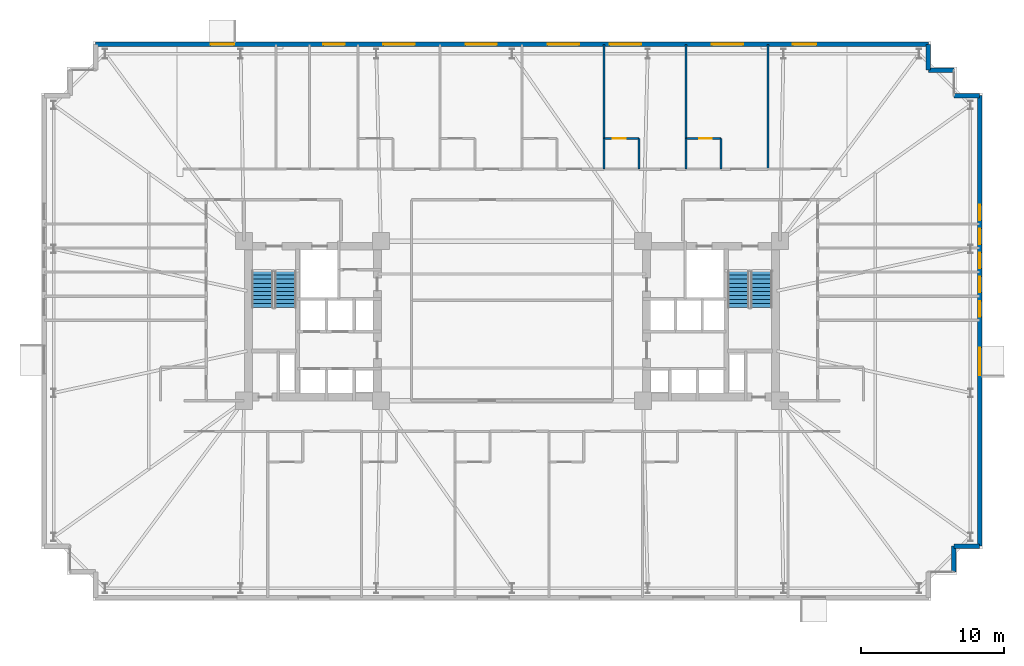
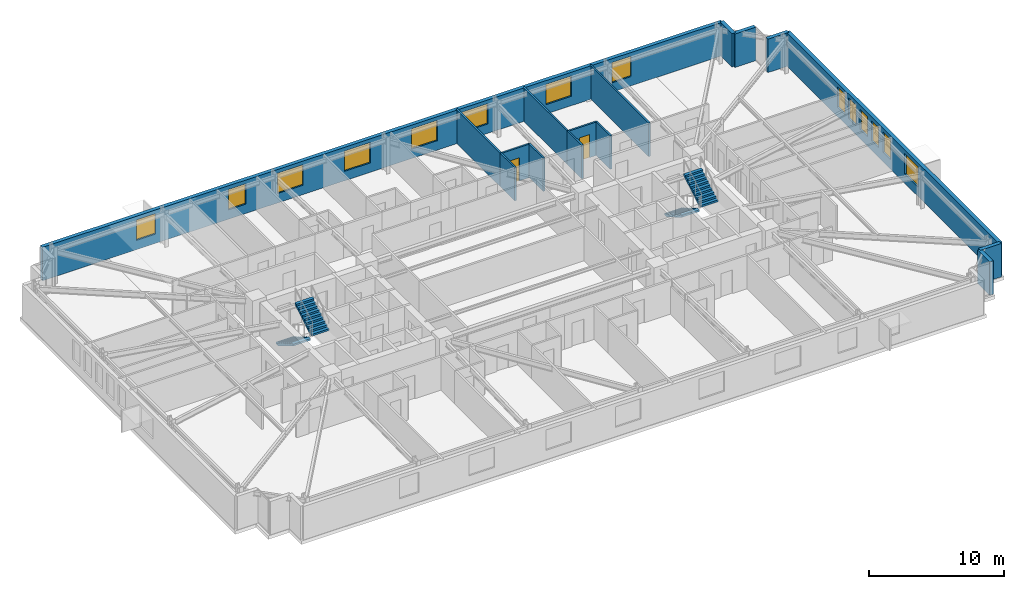
# One storey, part 19 of 22: 16 walls, 14 windows, 4 stair flights, 2 doors, 16 openings, 2 elements without a shape of their own.
"""IFC4 building model written with IfcOpenShell, lengths in metres."""

import ifcopenshell
import ifcopenshell.guid

model = None  # the IFC model being written
_history = None  # IfcOwnerHistory: only IFC2X3 demands one
_inside = {}  # id of a spatial element -> (the spatial element, [elements in it])
_under = {}  # id of a project, library or spatial element -> (it, [spatial elements below it])
_declared = {}  # id of a project -> (the project, [libraries it declares])
_typed = {}  # id of a type object -> (the type object, [elements of that type])
_made_of = {}  # id of a material, layer set ... -> (it, [elements and type objects made of it])


def new_model(schema):
    """Start an empty IFC model of exactly this schema.

    Asked for "IFC4X3", IfcOpenShell would pick the latest addendum, in which some entities
    have other attributes; the version numbers below select the first issue.
    IFC2X3 requires an IfcOwnerHistory on every rooted entity: one is made here for all.
    """
    global model, _history
    if schema == "IFC4X3":
        model = ifcopenshell.file(schema_version=(4, 3, 0, 0))
    else:
        model = ifcopenshell.file(schema=schema)
    _inside.clear()
    _under.clear()
    _declared.clear()
    _typed.clear()
    _made_of.clear()
    _history = None
    if model.schema == "IFC2X3":
        org = make("IfcOrganization", Name="unknown")
        user = make(
            "IfcPersonAndOrganization",
            ThePerson=make("IfcPerson", FamilyName="unknown"),
            TheOrganization=org,
        )
        app = make(
            "IfcApplication",
            ApplicationDeveloper=org,
            Version="unknown",
            ApplicationFullName="unknown",
            ApplicationIdentifier="unknown",
        )
        _history = make(
            "IfcOwnerHistory",
            OwningUser=user,
            OwningApplication=app,
            ChangeAction="ADDED",
            CreationDate=0,
        )
    return model


def make(cls, **values):
    """One entity of the class cls with the attributes given. An attribute that is None is left unset."""
    return model.create_entity(
        cls, **{name: value for name, value in values.items() if value is not None}
    )


def rooted(cls, **values):
    """An entity with a GlobalId (a new one), such as an element, a storey or a relation."""
    return make(cls, GlobalId=ifcopenshell.guid.new(), OwnerHistory=_history, **values)


def si_unit(unit_type, name, prefix=None):
    """IfcSIUnit, for example si_unit("LENGTHUNIT", "METRE", prefix="MILLI")."""
    return make("IfcSIUnit", UnitType=unit_type, Prefix=prefix, Name=name)


def assignment(units):
    """IfcUnitAssignment: the units of a project."""
    return None if units is None else make("IfcUnitAssignment", Units=units)


def point(xyz):
    """IfcCartesianPoint."""
    return None if xyz is None else make("IfcCartesianPoint", Coordinates=xyz)


def direction(xyz):
    """IfcDirection."""
    return None if xyz is None else make("IfcDirection", DirectionRatios=xyz)


def frame(location, z_axis=None, x_axis=None):
    """IfcAxis2Placement3D, a coordinate frame: its origin and axes. An axis left out is left unset."""
    return make(
        "IfcAxis2Placement3D",
        Location=point(location),
        Axis=direction(z_axis),
        RefDirection=direction(x_axis),
    )


def frame_2d(location, x_axis=None):
    """IfcAxis2Placement2D, a coordinate frame in the plane: its origin and x axis."""
    return make(
        "IfcAxis2Placement2D", Location=point(location), RefDirection=direction(x_axis)
    )


def origin():
    """The frame at (0, 0, 0) with its axes left unset."""
    return frame((0.0, 0.0, 0.0))


def place(relative_to, where):
    """IfcLocalPlacement: puts the frame where relative to a parent placement (None: the world)."""
    return make(
        "IfcLocalPlacement", PlacementRelTo=relative_to, RelativePlacement=where
    )


def context(
    kind, dimensions, precision=None, world=None, true_north=None, identifier=None
):
    """IfcGeometricRepresentationContext, for example the 3D "Model" context."""
    return make(
        "IfcGeometricRepresentationContext",
        ContextIdentifier=identifier,
        ContextType=kind,
        CoordinateSpaceDimension=dimensions,
        Precision=precision,
        WorldCoordinateSystem=world,
        TrueNorth=true_north,
    )


def subcontext(parent, identifier, kind, view, scale=None):
    """IfcGeometricRepresentationSubContext, for example "Body" below "Model"."""
    return make(
        "IfcGeometricRepresentationSubContext",
        ContextIdentifier=identifier,
        ContextType=kind,
        ParentContext=parent,
        TargetScale=scale,
        TargetView=view,
    )


def project(units=None, contexts=None):
    """IfcProject with its units and contexts."""
    return rooted(
        "IfcProject",
        Name="project",
        RepresentationContexts=contexts,
        UnitsInContext=assignment(units),
    )


def spatial(cls, under=None, at=None, **own):
    """A site, building, storey or space (cls), placed at a placement, below another one or the project."""
    s = rooted(cls, ObjectPlacement=at, **own)
    if under is not None:
        _under.setdefault(under.id(), (under, []))[1].append(s)
    return s


def polyline(points):
    """IfcPolyline through the points."""
    return make("IfcPolyline", Points=[point(p) for p in points])


def profile(cls, at=None, kind="AREA", **sizes):
    """A parametric profile (cls). Its sizes go by their IFC names, for example OverallWidth=200.0."""
    return make(cls, ProfileType=kind, Position=at, **sizes)


def rectangle(**sizes):
    """IfcRectangleProfileDef."""
    return profile("IfcRectangleProfileDef", **sizes)


def outline(outer, holes=None, kind="AREA"):
    """IfcArbitraryClosedProfileDef: a profile drawn as a closed curve; with holes, ...WithVoids."""
    if holes is None:
        return make("IfcArbitraryClosedProfileDef", ProfileType=kind, OuterCurve=outer)
    return make(
        "IfcArbitraryProfileDefWithVoids",
        ProfileType=kind,
        OuterCurve=outer,
        InnerCurves=holes,
    )


def extrude(swept, where, along, depth):
    """IfcExtrudedAreaSolid: the profile swept, set in the frame where, extruded along a direction by depth."""
    return make(
        "IfcExtrudedAreaSolid",
        SweptArea=swept,
        Position=where,
        ExtrudedDirection=direction(along),
        Depth=depth,
    )


def shape(context_of_items, identifier, shape_type, items):
    """IfcShapeRepresentation: the items that make up one representation, for example the "Body"."""
    return make(
        "IfcShapeRepresentation",
        ContextOfItems=context_of_items,
        RepresentationIdentifier=identifier,
        RepresentationType=shape_type,
        Items=items,
    )


def material(Name=None, Category=None):
    """IfcMaterial."""
    return make("IfcMaterial", Name=Name, Category=Category)


def layer(
    of_material, thickness, ventilated=None, Name=None, Category=None, Priority=None
):
    """IfcMaterialLayer: one layer of a wall or slab, of a material (None: an air gap)."""
    return make(
        "IfcMaterialLayer",
        Material=of_material,
        LayerThickness=thickness,
        IsVentilated=ventilated,
        Name=Name,
        Category=Category,
        Priority=Priority,
    )


def layer_set(layers, Name=None):
    """IfcMaterialLayerSet."""
    return make("IfcMaterialLayerSet", MaterialLayers=layers, LayerSetName=Name)


def made_of(thing, what):
    """Note that an element or type object is made of a material, layer set ...; save() writes the relation."""
    if what is not None:
        _made_of.setdefault(what.id(), (what, []))[1].append(thing)
    return thing


def type_object(cls, material=None, **own):
    """A type object (cls), such as IfcWallType, which elements share."""
    return made_of(rooted(cls, **own), material)


def element(
    cls,
    number,
    at=None,
    inside=None,
    cuts=None,
    type_object=None,
    material=None,
    context=None,
    identifier="Body",
    shape_type=None,
    held_by="IfcProductDefinitionShape",
    body=None,
    shapes=None,
    **own,
):
    """One element of the class cls, such as IfcWall. Its Tag is "e" and its number.

    at: its placement. inside: the storey or other place that contains it. cuts: it is an
    opening in that element (IfcRelVoidsElement). A single representation is given by context,
    identifier, shape_type and body (its items); several are given by shapes. held_by: the class
    of the entity that holds the representations. save() writes the other relations.
    """
    e = rooted(cls, Tag="e%d" % number, ObjectPlacement=at, **own)
    if body is not None:
        shapes = [shape(context, identifier, shape_type, body)]
    if shapes is not None:
        e.Representation = make(held_by, Representations=shapes)
    if inside is not None:
        _inside.setdefault(inside.id(), (inside, []))[1].append(e)
    if cuts is not None:
        rooted(
            "IfcRelVoidsElement", RelatingBuildingElement=cuts, RelatedOpeningElement=e
        )
    if type_object is not None:
        _typed.setdefault(type_object.id(), (type_object, []))[1].append(e)
    return made_of(e, material)


def fill(opening, filler):
    """IfcRelFillsElement: the door or window that sits in an opening."""
    return rooted(
        "IfcRelFillsElement",
        RelatingOpeningElement=opening,
        RelatedBuildingElement=filler,
    )


def aggregate(whole, parts):
    """IfcRelAggregates: a whole, such as a stair, and the parts it consists of."""
    return rooted("IfcRelAggregates", RelatingObject=whole, RelatedObjects=parts)


def save(model, path):
    """Write the relations noted so far, then the file.

    IfcRelAggregates (storeys below a building ...), IfcRelContainedInSpatialStructure (elements
    in a storey), IfcRelDefinesByType, IfcRelAssociatesMaterial and IfcRelDeclares: one each for
    every whole, place, type object, material and project.
    """
    for whole, parts in _under.values():
        aggregate(whole, parts)
    for where, things in _inside.values():
        rooted(
            "IfcRelContainedInSpatialStructure",
            RelatedElements=things,
            RelatingStructure=where,
        )
    for kind, things in _typed.values():
        rooted("IfcRelDefinesByType", RelatedObjects=things, RelatingType=kind)
    for what, things in _made_of.values():
        rooted("IfcRelAssociatesMaterial", RelatedObjects=things, RelatingMaterial=what)
    for by, libraries in _declared.values():
        rooted("IfcRelDeclares", RelatingContext=by, RelatedDefinitions=libraries)
    model.write(path)


model = new_model("IFC4")

# Units and contexts
model_context = context("Model", 3, precision=1e-05, world=origin(), true_north=direction((0.0, 1.0)))
body_context = subcontext(model_context, "Body", "Model", "MODEL_VIEW")
ifc_project = project(units=[si_unit("LENGTHUNIT", "METRE"), si_unit("AREAUNIT", "SQUARE_METRE"), si_unit("VOLUMEUNIT", "CUBIC_METRE"), si_unit("PLANEANGLEUNIT", "RADIAN"), si_unit("MASSUNIT", "GRAM", prefix="KILO")], contexts=[model_context])

# Site, building, storey
site_placement = place(None, origin())
site = spatial("IfcSite", under=ifc_project, at=site_placement, CompositionType="ELEMENT")
building_placement = place(site_placement, origin())
building = spatial("IfcBuilding", under=site, at=building_placement, Name="Qobustan Lattice House", CompositionType="ELEMENT")
storey_placement = place(building_placement, frame((0.0, 0.0, 60.5)))
storey = spatial("IfcBuildingStorey", under=building, at=storey_placement, Name="L16", CompositionType="ELEMENT", Elevation=60.5)

# Wall, openings, windows
ifc_material_1 = material(Name="Precast concrete C40/50", Category="concrete")
ifc_layer_1 = layer(ifc_material_1, 0.320068359375)
ifc_layer_set_1 = layer_set([ifc_layer_1], Name="Precast concrete C40/50")
wall_type_1 = type_object("IfcWallType", Name="WAL-EXT-STONE-320", PredefinedType="SOLIDWALL", material=ifc_layer_set_1)
wall_1_placement = place(storey_placement, frame((-29.199951171875, 19.39990234375, 0.0), z_axis=(0.0, 0.0, 1.0), x_axis=(1.0, 0.0, 0.0)))
wall_1 = element("IfcWall", 1, at=wall_1_placement, inside=storey, type_object=wall_type_1, Name="L16 exterior limestone-clad wall 10", PredefinedType="SOLIDWALL", context=body_context, shape_type="SweptSolid", body=[
    extrude(rectangle(XDim=58.39990234375, YDim=0.320068359375, at=frame_2d((29.199951171875, 0.0))), origin(), (0.0, 0.0, 1.0), 3.034912109375),
])
opening_1_placement = place(wall_1_placement, frame((8.0654296875, 0.0, 0.85009765625)))
opening_1 = element("IfcOpeningElement", 2, at=opening_1_placement, cuts=wall_1, Name="Opening WN-09", PredefinedType="OPENING", context=body_context, shape_type="SweptSolid", body=[
    extrude(rectangle(XDim=1.64990234375, YDim=1.85009765625, at=frame_2d((0.824951171875, 0.925048828125))), frame((0.0, 0.169921875, 0.0), z_axis=(0.0, -1.0, 0.0), x_axis=(1.0, 0.0, 0.0)), (0.0, 0.0, 1.0), 0.340087890625),
])
opening_2_placement = place(wall_1_placement, frame((15.969970703125, 0.0, 0.85009765625)))
opening_2 = element("IfcOpeningElement", 3, at=opening_2_placement, cuts=wall_1, Name="Opening WN-01", PredefinedType="OPENING", context=body_context, shape_type="SweptSolid", body=[
    extrude(rectangle(XDim=1.5, YDim=1.85009765625, at=frame_2d((0.75, 0.925048828125))), frame((0.0, 0.169921875, 0.0), z_axis=(0.0, -1.0, 0.0), x_axis=(1.0, 0.0, 0.0)), (0.0, 0.0, 1.0), 0.340087890625),
])
opening_3_placement = place(wall_1_placement, frame((20.179931640625, 0.0, 0.85009765625)))
opening_3 = element("IfcOpeningElement", 4, at=opening_3_placement, cuts=wall_1, Name="Opening WN-03", PredefinedType="OPENING", context=body_context, shape_type="SweptSolid", body=[
    extrude(rectangle(XDim=2.199951171875, YDim=1.85009765625, at=frame_2d((1.10009765625, 0.925048828125))), frame((0.0, 0.169921875, 0.0), z_axis=(0.0, -1.0, 0.0), x_axis=(1.0, 0.0, 0.0)), (0.0, 0.0, 1.0), 0.340087890625),
])
opening_4_placement = place(wall_1_placement, frame((25.93994140625, 0.0, 0.85009765625)))
opening_4 = element("IfcOpeningElement", 5, at=opening_4_placement, cuts=wall_1, Name="Opening WN-03", PredefinedType="OPENING", context=body_context, shape_type="SweptSolid", body=[
    extrude(rectangle(XDim=2.199951171875, YDim=1.85009765625, at=frame_2d((1.10009765625, 0.925048828125))), frame((0.0, 0.169921875, 0.0), z_axis=(0.0, -1.0, 0.0), x_axis=(1.0, 0.0, 0.0)), (0.0, 0.0, 1.0), 0.340087890625),
])
opening_5_placement = place(wall_1_placement, frame((31.699951171875, 0.0, 0.85009765625)))
opening_5 = element("IfcOpeningElement", 6, at=opening_5_placement, cuts=wall_1, Name="Opening WN-03", PredefinedType="OPENING", context=body_context, shape_type="SweptSolid", body=[
    extrude(rectangle(XDim=2.199951171875, YDim=1.85009765625, at=frame_2d((1.10009765625, 0.925048828125))), frame((0.0, 0.169921875, 0.0), z_axis=(0.0, -1.0, 0.0), x_axis=(1.0, 0.0, 0.0)), (0.0, 0.0, 1.0), 0.340087890625),
])
opening_6_placement = place(wall_1_placement, frame((36.055908203125, 0.0, 0.85009765625)))
opening_6 = element("IfcOpeningElement", 7, at=opening_6_placement, cuts=wall_1, Name="Opening WN-03", PredefinedType="OPENING", context=body_context, shape_type="SweptSolid", body=[
    extrude(rectangle(XDim=2.199951171875, YDim=1.85009765625, at=frame_2d((1.10009765625, 0.925048828125))), frame((0.0, 0.169921875, 0.0), z_axis=(0.0, -1.0, 0.0), x_axis=(1.0, 0.0, 0.0)), (0.0, 0.0, 1.0), 0.340087890625),
])
opening_7_placement = place(wall_1_placement, frame((43.219970703125, 0.0, 0.85009765625)))
opening_7 = element("IfcOpeningElement", 8, at=opening_7_placement, cuts=wall_1, Name="Opening WN-03", PredefinedType="OPENING", context=body_context, shape_type="SweptSolid", body=[
    extrude(rectangle(XDim=2.199951171875, YDim=1.85009765625, at=frame_2d((1.10009765625, 0.925048828125))), frame((0.0, 0.169921875, 0.0), z_axis=(0.0, -1.0, 0.0), x_axis=(1.0, 0.0, 0.0)), (0.0, 0.0, 1.0), 0.340087890625),
])
opening_8_placement = place(wall_1_placement, frame((48.89501953125, 0.0, 0.85009765625)))
opening_8 = element("IfcOpeningElement", 9, at=opening_8_placement, cuts=wall_1, Name="Opening WN-09", PredefinedType="OPENING", context=body_context, shape_type="SweptSolid", body=[
    extrude(rectangle(XDim=1.64990234375, YDim=1.85009765625, at=frame_2d((0.824951171875, 0.925048828125))), frame((0.0, 0.169921875, 0.0), z_axis=(0.0, -1.0, 0.0), x_axis=(1.0, 0.0, 0.0)), (0.0, 0.0, 1.0), 0.340087890625),
])
ifc_material_2 = material(Name="Double-glazed low-E aluminium window", Category="aluminium")
window_type_1 = type_object("IfcWindowType", Name="WIN-BED-1500x1850", PartitioningType="SINGLE_PANEL", PredefinedType="WINDOW", material=ifc_material_2)
window_1_placement = place(opening_2_placement, origin())
window_1 = element("IfcWindow", 10, at=window_1_placement, inside=storey, type_object=window_type_1, Name="L16 Laundry utility room window", OverallHeight=1.85009765625, OverallWidth=1.5, PartitioningType="SINGLE_PANEL", PredefinedType="WINDOW", context=body_context, shape_type="SweptSolid", body=[
    extrude(rectangle(XDim=1.5, YDim=1.85009765625, at=frame_2d((0.75, 0.925048828125))), frame((0.0, 0.030029296875, 0.0), z_axis=(0.0, -1.0, 0.0), x_axis=(1.0, 0.0, 0.0)), (0.0, 0.0, 1.0), 0.06005859375),
])
fill(opening_2, window_1)
ifc_material_3 = material(Name="Double-glazed low-E aluminium window", Category="aluminium")
window_type_2 = type_object("IfcWindowType", Name="WIN-STU-1650x1850", PartitioningType="SINGLE_PANEL", PredefinedType="WINDOW", material=ifc_material_3)
window_2_placement = place(opening_1_placement, origin())
window_2 = element("IfcWindow", 11, at=window_2_placement, inside=storey, type_object=window_type_2, Name="L16 Focus study room N1 window", OverallHeight=1.85009765625, OverallWidth=1.64990234375, PartitioningType="SINGLE_PANEL", PredefinedType="WINDOW", context=body_context, shape_type="SweptSolid", body=[
    extrude(rectangle(XDim=1.64990234375, YDim=1.85009765625, at=frame_2d((0.824951171875, 0.925048828125))), frame((0.0, 0.030029296875, 0.0), z_axis=(0.0, -1.0, 0.0), x_axis=(1.0, 0.0, 0.0)), (0.0, 0.0, 1.0), 0.06005859375),
])
fill(opening_1, window_2)
window_3_placement = place(opening_8_placement, origin())
window_3 = element("IfcWindow", 12, at=window_3_placement, inside=storey, type_object=window_type_2, Name="L16 Focus study room N8 window", OverallHeight=1.85009765625, OverallWidth=1.64990234375, PartitioningType="SINGLE_PANEL", PredefinedType="WINDOW", context=body_context, shape_type="SweptSolid", body=[
    extrude(rectangle(XDim=1.64990234375, YDim=1.85009765625, at=frame_2d((0.824951171875, 0.925048828125))), frame((0.0, 0.030029296875, 0.0), z_axis=(0.0, -1.0, 0.0), x_axis=(1.0, 0.0, 0.0)), (0.0, 0.0, 1.0), 0.06005859375),
])
fill(opening_8, window_3)
ifc_material_4 = material(Name="Double-glazed low-E aluminium window", Category="aluminium")
window_type_3 = type_object("IfcWindowType", Name="WIN-WIDE-2200x1850", PartitioningType="SINGLE_PANEL", PredefinedType="WINDOW", material=ifc_material_4)
window_4_placement = place(opening_3_placement, origin())
window_4 = element("IfcWindow", 13, at=window_4_placement, inside=storey, type_object=window_type_3, Name="L16 Kitchenette and studio apartment L16-N3 window", OverallHeight=1.85009765625, OverallWidth=2.199951171875, PartitioningType="SINGLE_PANEL", PredefinedType="WINDOW", context=body_context, shape_type="SweptSolid", body=[
    extrude(rectangle(XDim=2.199951171875, YDim=1.85009765625, at=frame_2d((1.10009765625, 0.925048828125))), frame((0.0, 0.030029296875, 0.0), z_axis=(0.0, -1.0, 0.0), x_axis=(1.0, 0.0, 0.0)), (0.0, 0.0, 1.0), 0.06005859375),
])
fill(opening_3, window_4)
window_5_placement = place(opening_4_placement, origin())
window_5 = element("IfcWindow", 14, at=window_5_placement, inside=storey, type_object=window_type_3, Name="L16 Kitchenette and studio apartment L16-N4 window", OverallHeight=1.85009765625, OverallWidth=2.199951171875, PartitioningType="SINGLE_PANEL", PredefinedType="WINDOW", context=body_context, shape_type="SweptSolid", body=[
    extrude(rectangle(XDim=2.199951171875, YDim=1.85009765625, at=frame_2d((1.10009765625, 0.925048828125))), frame((0.0, 0.030029296875, 0.0), z_axis=(0.0, -1.0, 0.0), x_axis=(1.0, 0.0, 0.0)), (0.0, 0.0, 1.0), 0.06005859375),
])
fill(opening_4, window_5)
window_6_placement = place(opening_5_placement, origin())
window_6 = element("IfcWindow", 15, at=window_6_placement, inside=storey, type_object=window_type_3, Name="L16 Kitchenette and studio apartment L16-N5 window", OverallHeight=1.85009765625, OverallWidth=2.199951171875, PartitioningType="SINGLE_PANEL", PredefinedType="WINDOW", context=body_context, shape_type="SweptSolid", body=[
    extrude(rectangle(XDim=2.199951171875, YDim=1.85009765625, at=frame_2d((1.10009765625, 0.925048828125))), frame((0.0, 0.030029296875, 0.0), z_axis=(0.0, -1.0, 0.0), x_axis=(1.0, 0.0, 0.0)), (0.0, 0.0, 1.0), 0.06005859375),
])
fill(opening_5, window_6)
window_7_placement = place(opening_6_placement, origin())
window_7 = element("IfcWindow", 16, at=window_7_placement, inside=storey, type_object=window_type_3, Name="L16 Kitchenette and studio apartment L16-N6 window", OverallHeight=1.85009765625, OverallWidth=2.199951171875, PartitioningType="SINGLE_PANEL", PredefinedType="WINDOW", context=body_context, shape_type="SweptSolid", body=[
    extrude(rectangle(XDim=2.199951171875, YDim=1.85009765625, at=frame_2d((1.10009765625, 0.925048828125))), frame((0.0, 0.030029296875, 0.0), z_axis=(0.0, -1.0, 0.0), x_axis=(1.0, 0.0, 0.0)), (0.0, 0.0, 1.0), 0.06005859375),
])
fill(opening_6, window_7)
window_8_placement = place(opening_7_placement, origin())
window_8 = element("IfcWindow", 17, at=window_8_placement, inside=storey, type_object=window_type_3, Name="L16 Kitchenette and studio apartment L16-N7 window", OverallHeight=1.85009765625, OverallWidth=2.199951171875, PartitioningType="SINGLE_PANEL", PredefinedType="WINDOW", context=body_context, shape_type="SweptSolid", body=[
    extrude(rectangle(XDim=2.199951171875, YDim=1.85009765625, at=frame_2d((1.10009765625, 0.925048828125))), frame((0.0, 0.030029296875, 0.0), z_axis=(0.0, -1.0, 0.0), x_axis=(1.0, 0.0, 0.0)), (0.0, 0.0, 1.0), 0.06005859375),
])
fill(opening_7, window_8)

# Walls
wall_2_placement = place(storey_placement, frame((29.199951171875, 19.39990234375, 0.0), z_axis=(0.0, 0.0, 1.0), x_axis=(0.0, -1.0, 0.0)))
element("IfcWall", 18, at=wall_2_placement, inside=storey, type_object=wall_type_1, Name="L16 exterior limestone-clad wall 11", PredefinedType="SOLIDWALL", context=body_context, shape_type="SweptSolid", body=[
    extrude(rectangle(XDim=1.7998046875, YDim=0.320068359375, at=frame_2d((0.89990234375, 0.0))), origin(), (0.0, 0.0, 1.0), 3.034912109375),
])
for number, where, z_axis, x_axis, name in (
    (19, (29.199951171875, 17.60009765625, 0.0), (0.0, 0.0, 1.0), (1.0, 0.0, 0.0), "L16 exterior limestone-clad wall 12"),
    (20, (31.0, 15.800048828125, 0.0), (0.0, 0.0, 1.0), (1.0, 0.0, 0.0), "L16 exterior limestone-clad wall 14"),
):
    element("IfcWall", number, at=place(storey_placement, frame(where, z_axis=z_axis, x_axis=x_axis)), inside=storey, type_object=wall_type_1, Name=name, PredefinedType="SOLIDWALL", context=body_context, shape_type="SweptSolid", body=[
        extrude(rectangle(XDim=1.800048828125, YDim=0.320068359375, at=frame_2d((0.89990234375, 0.0))), origin(), (0.0, 0.0, 1.0), 3.034912109375),
    ])

# Wall, openings, windows
wall_3_placement = place(storey_placement, frame((32.800048828125, 15.800048828125, 0.0), z_axis=(0.0, 0.0, 1.0), x_axis=(0.0, -1.0, 0.0)))
wall_3 = element("IfcWall", 21, at=wall_3_placement, inside=storey, type_object=wall_type_1, Name="L16 exterior limestone-clad wall 15", PredefinedType="SOLIDWALL", context=body_context, shape_type="SweptSolid", body=[
    extrude(rectangle(XDim=31.60009765625, YDim=0.320068359375, at=frame_2d((15.800048828125, 0.0))), origin(), (0.0, 0.0, 1.0), 3.034912109375),
])
opening_9_placement = place(wall_3_placement, frame((7.64990234375, 0.0, 0.85009765625)))
opening_9 = element("IfcOpeningElement", 22, at=opening_9_placement, cuts=wall_3, Name="Opening WN-04", PredefinedType="OPENING", context=body_context, shape_type="SweptSolid", body=[
    extrude(rectangle(XDim=1.10009765625, YDim=1.85009765625, at=frame_2d((0.550048828125, 0.925048828125))), frame((0.0, 0.169921875, 0.0), z_axis=(0.0, -1.0, 0.0), x_axis=(1.0, 0.0, 0.0)), (0.0, 0.0, 1.0), 0.340087890625),
])
opening_10_placement = place(wall_3_placement, frame((9.330078125, 0.0, 0.85009765625)))
opening_10 = element("IfcOpeningElement", 23, at=opening_10_placement, cuts=wall_3, Name="Opening WN-04", PredefinedType="OPENING", context=body_context, shape_type="SweptSolid", body=[
    extrude(rectangle(XDim=1.10009765625, YDim=1.85009765625, at=frame_2d((0.550048828125, 0.925048828125))), frame((0.0, 0.169921875, 0.0), z_axis=(0.0, -1.0, 0.0), x_axis=(1.0, 0.0, 0.0)), (0.0, 0.0, 1.0), 0.340087890625),
])
opening_11_placement = place(wall_3_placement, frame((11.010009765625, 0.0, 0.85009765625)))
opening_11 = element("IfcOpeningElement", 24, at=opening_11_placement, cuts=wall_3, Name="Opening WN-04", PredefinedType="OPENING", context=body_context, shape_type="SweptSolid", body=[
    extrude(rectangle(XDim=1.10009765625, YDim=1.85009765625, at=frame_2d((0.550048828125, 0.925048828125))), frame((0.0, 0.169921875, 0.0), z_axis=(0.0, -1.0, 0.0), x_axis=(1.0, 0.0, 0.0)), (0.0, 0.0, 1.0), 0.340087890625),
])
opening_12_placement = place(wall_3_placement, frame((12.68994140625, 0.0, 0.85009765625)))
opening_12 = element("IfcOpeningElement", 25, at=opening_12_placement, cuts=wall_3, Name="Opening WN-04", PredefinedType="OPENING", context=body_context, shape_type="SweptSolid", body=[
    extrude(rectangle(XDim=1.10009765625, YDim=1.85009765625, at=frame_2d((0.550048828125, 0.925048828125))), frame((0.0, 0.169921875, 0.0), z_axis=(0.0, -1.0, 0.0), x_axis=(1.0, 0.0, 0.0)), (0.0, 0.0, 1.0), 0.340087890625),
])
opening_13_placement = place(wall_3_placement, frame((14.409912109375, 0.0, 0.85009765625)))
opening_13 = element("IfcOpeningElement", 26, at=opening_13_placement, cuts=wall_3, Name="Opening WN-04", PredefinedType="OPENING", context=body_context, shape_type="SweptSolid", body=[
    extrude(rectangle(XDim=1.10009765625, YDim=1.85009765625, at=frame_2d((0.550048828125, 0.925048828125))), frame((0.0, 0.169921875, 0.0), z_axis=(0.0, -1.0, 0.0), x_axis=(1.0, 0.0, 0.0)), (0.0, 0.0, 1.0), 0.340087890625),
])
opening_14_placement = place(wall_3_placement, frame((17.6650390625, 0.0, 0.85009765625)))
opening_14 = element("IfcOpeningElement", 27, at=opening_14_placement, cuts=wall_3, Name="Opening WN-08", PredefinedType="OPENING", context=body_context, shape_type="SweptSolid", body=[
    extrude(rectangle(XDim=1.949951171875, YDim=1.85009765625, at=frame_2d((0.97509765625, 0.925048828125))), frame((0.0, 0.169921875, 0.0), z_axis=(0.0, -1.0, 0.0), x_axis=(1.0, 0.0, 0.0)), (0.0, 0.0, 1.0), 0.340087890625),
])
ifc_material_5 = material(Name="Double-glazed low-E aluminium window", Category="aluminium")
window_type_4 = type_object("IfcWindowType", Name="WIN-KIT-1950x1850", PartitioningType="SINGLE_PANEL", PredefinedType="WINDOW", material=ifc_material_5)
window_9_placement = place(opening_14_placement, origin())
window_9 = element("IfcWindow", 28, at=window_9_placement, inside=storey, type_object=window_type_4, Name="L16 Shared kitchen L16E window", OverallHeight=1.85009765625, OverallWidth=1.949951171875, PartitioningType="SINGLE_PANEL", PredefinedType="WINDOW", context=body_context, shape_type="SweptSolid", body=[
    extrude(rectangle(XDim=1.949951171875, YDim=1.85009765625, at=frame_2d((0.97509765625, 0.925048828125))), frame((0.0, 0.030029296875, 0.0), z_axis=(0.0, -1.0, 0.0), x_axis=(1.0, 0.0, 0.0)), (0.0, 0.0, 1.0), 0.06005859375),
])
fill(opening_14, window_9)
ifc_material_6 = material(Name="Double-glazed low-E aluminium window", Category="aluminium")
window_type_5 = type_object("IfcWindowType", Name="WIN-NAR-1100x1850", PartitioningType="SINGLE_PANEL", PredefinedType="WINDOW", material=ifc_material_6)
window_10_placement = place(opening_9_placement, origin())
window_10 = element("IfcWindow", 29, at=window_10_placement, inside=storey, type_object=window_type_5, Name="L16 Cluster bedroom L16E5 window", OverallHeight=1.85009765625, OverallWidth=1.10009765625, PartitioningType="SINGLE_PANEL", PredefinedType="WINDOW", context=body_context, shape_type="SweptSolid", body=[
    extrude(rectangle(XDim=1.10009765625, YDim=1.85009765625, at=frame_2d((0.550048828125, 0.925048828125))), frame((0.0, 0.030029296875, 0.0), z_axis=(0.0, -1.0, 0.0), x_axis=(1.0, 0.0, 0.0)), (0.0, 0.0, 1.0), 0.06005859375),
])
fill(opening_9, window_10)
window_11_placement = place(opening_10_placement, origin())
window_11 = element("IfcWindow", 30, at=window_11_placement, inside=storey, type_object=window_type_5, Name="L16 Cluster bedroom L16E4 window", OverallHeight=1.85009765625, OverallWidth=1.10009765625, PartitioningType="SINGLE_PANEL", PredefinedType="WINDOW", context=body_context, shape_type="SweptSolid", body=[
    extrude(rectangle(XDim=1.10009765625, YDim=1.85009765625, at=frame_2d((0.550048828125, 0.925048828125))), frame((0.0, 0.030029296875, 0.0), z_axis=(0.0, -1.0, 0.0), x_axis=(1.0, 0.0, 0.0)), (0.0, 0.0, 1.0), 0.06005859375),
])
fill(opening_10, window_11)
window_12_placement = place(opening_11_placement, origin())
window_12 = element("IfcWindow", 31, at=window_12_placement, inside=storey, type_object=window_type_5, Name="L16 Cluster bedroom L16E3 window", OverallHeight=1.85009765625, OverallWidth=1.10009765625, PartitioningType="SINGLE_PANEL", PredefinedType="WINDOW", context=body_context, shape_type="SweptSolid", body=[
    extrude(rectangle(XDim=1.10009765625, YDim=1.85009765625, at=frame_2d((0.550048828125, 0.925048828125))), frame((0.0, 0.030029296875, 0.0), z_axis=(0.0, -1.0, 0.0), x_axis=(1.0, 0.0, 0.0)), (0.0, 0.0, 1.0), 0.06005859375),
])
fill(opening_11, window_12)
window_13_placement = place(opening_12_placement, origin())
window_13 = element("IfcWindow", 32, at=window_13_placement, inside=storey, type_object=window_type_5, Name="L16 Cluster bedroom L16E2 window", OverallHeight=1.85009765625, OverallWidth=1.10009765625, PartitioningType="SINGLE_PANEL", PredefinedType="WINDOW", context=body_context, shape_type="SweptSolid", body=[
    extrude(rectangle(XDim=1.10009765625, YDim=1.85009765625, at=frame_2d((0.550048828125, 0.925048828125))), frame((0.0, 0.030029296875, 0.0), z_axis=(0.0, -1.0, 0.0), x_axis=(1.0, 0.0, 0.0)), (0.0, 0.0, 1.0), 0.06005859375),
])
fill(opening_12, window_13)
window_14_placement = place(opening_13_placement, origin())
window_14 = element("IfcWindow", 33, at=window_14_placement, inside=storey, type_object=window_type_5, Name="L16 Cluster bedroom L16E1 window", OverallHeight=1.85009765625, OverallWidth=1.10009765625, PartitioningType="SINGLE_PANEL", PredefinedType="WINDOW", context=body_context, shape_type="SweptSolid", body=[
    extrude(rectangle(XDim=1.10009765625, YDim=1.85009765625, at=frame_2d((0.550048828125, 0.925048828125))), frame((0.0, 0.030029296875, 0.0), z_axis=(0.0, -1.0, 0.0), x_axis=(1.0, 0.0, 0.0)), (0.0, 0.0, 1.0), 0.06005859375),
])
fill(opening_13, window_14)

# Walls
for number, where, z_axis, x_axis, name in (
    (34, (32.800048828125, -15.800048828125, 0.0), (0.0, 0.0, 1.0), (-1.0, 0.0, 0.0), "L16 exterior limestone-clad wall 16"),
    (35, (31.0, -15.800048828125, 0.0), (0.0, 0.0, 1.0), (0.0, -1.0, 0.0), "L16 exterior limestone-clad wall 17"),
):
    element("IfcWall", number, at=place(storey_placement, frame(where, z_axis=z_axis, x_axis=x_axis)), inside=storey, type_object=wall_type_1, Name=name, PredefinedType="SOLIDWALL", context=body_context, shape_type="SweptSolid", body=[
        extrude(rectangle(XDim=1.800048828125, YDim=0.320068359375, at=frame_2d((0.89990234375, 0.0))), origin(), (0.0, 0.0, 1.0), 3.034912109375),
    ])
ifc_material_7 = material(Name="Acoustic twin-stud gypsum partition", Category="gypsum")
ifc_layer_2 = layer(ifc_material_7, 0.14990234375)
ifc_layer_set_2 = layer_set([ifc_layer_2], Name="Acoustic twin-stud gypsum partition")
wall_type_2 = type_object("IfcWallType", Name="WAL-PART-150", PredefinedType="PARTITIONING", material=ifc_layer_set_2)
for number, where, z_axis, x_axis, name in (
    (36, (6.449951171875, 19.39990234375, 0.0), (0.0, 0.0, 1.0), (0.0, -1.0, 0.0), "L16 interior partition 124"),
    (37, (12.199951171875, 19.39990234375, 0.0), (0.0, 0.0, 1.0), (0.0, -1.0, 0.0), "L16 interior partition 128"),
):
    element("IfcWall", number, at=place(storey_placement, frame(where, z_axis=z_axis, x_axis=x_axis)), inside=storey, type_object=wall_type_2, Name=name, PredefinedType="PARTITIONING", context=body_context, shape_type="SweptSolid", body=[
        extrude(rectangle(XDim=6.599853515625, YDim=0.14990234375, at=frame_2d((3.2998046875, 0.0))), origin(), (0.0, 0.0, 1.0), 3.034912109375),
    ])
wall_4_placement = place(storey_placement, frame((17.949951171875, 19.39990234375, 0.0), z_axis=(0.0, 0.0, 1.0), x_axis=(0.0, -1.0, 0.0)))
element("IfcWall", 38, at=wall_4_placement, inside=storey, type_object=wall_type_2, Name="L16 interior partition 132", PredefinedType="PARTITIONING", context=body_context, shape_type="SweptSolid", body=[
    extrude(rectangle(XDim=8.75, YDim=0.14990234375, at=frame_2d((4.375, 0.0))), origin(), (0.0, 0.0, 1.0), 3.034912109375),
])
ifc_material_8 = material(Name="Moisture-resistant acoustic plumbing wall", Category="gypsum")
ifc_layer_3 = layer(ifc_material_8, 0.14990234375)
ifc_layer_set_3 = layer_set([ifc_layer_3], Name="Moisture-resistant acoustic plumbing wall")
wall_type_3 = type_object("IfcWallType", Name="WAL-WET-150", PredefinedType="PLUMBINGWALL", material=ifc_layer_set_3)
wall_5_placement = place(storey_placement, frame((6.449951171875, 12.800048828125, 0.0), z_axis=(0.0, 0.0, 1.0), x_axis=(0.0, -1.0, 0.0)))
element("IfcWall", 39, at=wall_5_placement, inside=storey, type_object=wall_type_3, Name="L16 interior partition 125", PredefinedType="PLUMBINGWALL", context=body_context, shape_type="SweptSolid", body=[
    extrude(rectangle(XDim=2.150146484375, YDim=0.14990234375, at=frame_2d((1.0751953125, 0.0))), origin(), (0.0, 0.0, 1.0), 3.034912109375),
])

# Wall, opening, door
wall_6_placement = place(storey_placement, frame((8.89990234375, 12.800048828125, 0.0), z_axis=(0.0, 0.0, 1.0), x_axis=(-1.0, 0.0, 0.0)))
wall_6 = element("IfcWall", 40, at=wall_6_placement, inside=storey, type_object=wall_type_3, Name="L16 interior partition 126", PredefinedType="PLUMBINGWALL", context=body_context, shape_type="SweptSolid", body=[
    extrude(rectangle(XDim=2.449951171875, YDim=0.14990234375, at=frame_2d((1.22509765625, 0.0))), origin(), (0.0, 0.0, 1.0), 3.034912109375),
])
opening_15_placement = place(wall_6_placement, frame((0.92138671875, 0.0, 0.0)))
opening_15 = element("IfcOpeningElement", 41, at=opening_15_placement, cuts=wall_6, Name="Opening WD-01", PredefinedType="OPENING", context=body_context, shape_type="SweptSolid", body=[
    extrude(rectangle(XDim=0.89990234375, YDim=2.10009765625, at=frame_2d((0.449951171875, 1.050048828125))), frame((0.0, 0.0849609375, 0.0), z_axis=(0.0, -1.0, 0.0), x_axis=(1.0, 0.0, 0.0)), (0.0, 0.0, 1.0), 0.169921875),
])
ifc_material_9 = material(Name="Persian walnut timber and steel frame door", Category="steel")
door_type = type_object("IfcDoorType", Name="DOR-WET-900x2100", OperationType="NOTDEFINED", PredefinedType="DOOR", material=ifc_material_9)
door_1_placement = place(opening_15_placement, origin())
door_1 = element("IfcDoor", 42, at=door_1_placement, inside=storey, type_object=door_type, Name="L16 Kitchenette and studio apartment L16-N6 to En-suite bathroom L16-N6 door", OperationType="SINGLE_SWING_LEFT", OverallHeight=2.10009765625, OverallWidth=0.89990234375, PredefinedType="DOOR", context=body_context, shape_type="SweptSolid", body=[
    extrude(rectangle(XDim=0.89990234375, YDim=2.10009765625, at=frame_2d((0.449951171875, 1.050048828125))), frame((0.0, 0.02490234375, 0.0), z_axis=(0.0, -1.0, 0.0), x_axis=(1.0, 0.0, 0.0)), (0.0, 0.0, 1.0), 0.050048828125),
])
fill(opening_15, door_1)

# Walls
for number, where, z_axis, x_axis, name in (
    (43, (8.89990234375, 10.64990234375, 0.0), (0.0, 0.0, 1.0), (0.0, 1.0, 0.0), "L16 interior partition 127"),
    (44, (12.199951171875, 12.800048828125, 0.0), (0.0, 0.0, 1.0), (0.0, -1.0, 0.0), "L16 interior partition 129"),
):
    element("IfcWall", number, at=place(storey_placement, frame(where, z_axis=z_axis, x_axis=x_axis)), inside=storey, type_object=wall_type_3, Name=name, PredefinedType="PLUMBINGWALL", context=body_context, shape_type="SweptSolid", body=[
        extrude(rectangle(XDim=2.150146484375, YDim=0.14990234375, at=frame_2d((1.0751953125, 0.0))), origin(), (0.0, 0.0, 1.0), 3.034912109375),
    ])

# Wall, opening, door
wall_7_placement = place(storey_placement, frame((14.64990234375, 12.800048828125, 0.0), z_axis=(0.0, 0.0, 1.0), x_axis=(-1.0, 0.0, 0.0)))
wall_7 = element("IfcWall", 45, at=wall_7_placement, inside=storey, type_object=wall_type_3, Name="L16 interior partition 130", PredefinedType="PLUMBINGWALL", context=body_context, shape_type="SweptSolid", body=[
    extrude(rectangle(XDim=2.449951171875, YDim=0.14990234375, at=frame_2d((1.22509765625, 0.0))), origin(), (0.0, 0.0, 1.0), 3.034912109375),
])
opening_16_placement = place(wall_7_placement, frame((0.62890625, 0.0, 0.0)))
opening_16 = element("IfcOpeningElement", 46, at=opening_16_placement, cuts=wall_7, Name="Opening WD-01", PredefinedType="OPENING", context=body_context, shape_type="SweptSolid", body=[
    extrude(rectangle(XDim=0.89990234375, YDim=2.10009765625, at=frame_2d((0.449951171875, 1.050048828125))), frame((0.0, 0.0849609375, 0.0), z_axis=(0.0, -1.0, 0.0), x_axis=(1.0, 0.0, 0.0)), (0.0, 0.0, 1.0), 0.169921875),
])
door_2_placement = place(opening_16_placement, origin())
door_2 = element("IfcDoor", 47, at=door_2_placement, inside=storey, type_object=door_type, Name="L16 Kitchenette and studio apartment L16-N7 to En-suite bathroom L16-N7 door", OperationType="SINGLE_SWING_RIGHT", OverallHeight=2.10009765625, OverallWidth=0.89990234375, PredefinedType="DOOR", context=body_context, shape_type="SweptSolid", body=[
    extrude(rectangle(XDim=0.89990234375, YDim=2.10009765625, at=frame_2d((0.449951171875, 1.050048828125))), frame((0.0, 0.02490234375, 0.0), z_axis=(0.0, -1.0, 0.0), x_axis=(1.0, 0.0, 0.0)), (0.0, 0.0, 1.0), 0.050048828125),
])
fill(opening_16, door_2)

# Wall
wall_8_placement = place(storey_placement, frame((14.64990234375, 10.64990234375, 0.0), z_axis=(0.0, 0.0, 1.0), x_axis=(0.0, 1.0, 0.0)))
element("IfcWall", 48, at=wall_8_placement, inside=storey, type_object=wall_type_3, Name="L16 interior partition 131", PredefinedType="PLUMBINGWALL", context=body_context, shape_type="SweptSolid", body=[
    extrude(rectangle(XDim=2.150146484375, YDim=0.14990234375, at=frame_2d((1.0751953125, 0.0))), origin(), (0.0, 0.0, 1.0), 3.034912109375),
])

# Stair, stair flights
ifc_material_10 = material(Name="Concrete C40/50", Category="concrete")
stair_type = type_object("IfcStairType", Name="STR-CORE-DOGLEG", PredefinedType="HALF_TURN_STAIR", material=ifc_material_10)
stair_1_placement = place(storey_placement, origin())
stair_1 = element("IfcStair", 49, at=stair_1_placement, inside=storey, type_object=stair_type, Name="L16 West protected exit stair ST-W1", PredefinedType="HALF_TURN_STAIR")
ifc_material_11 = material(Name="Concrete C40/50", Category="concrete")
stair_flight_type = type_object("IfcStairFlightType", Name="SFL-RC-1500", PredefinedType="STRAIGHT", material=ifc_material_11)
stair_flight_1_placement = place(storey_placement, frame((-17.5, 3.5, 0.0), z_axis=(0.0, 0.0, 1.0), x_axis=(0.0, -1.0, 0.0)))
stair_flight_1 = element("IfcStairFlight", 50, at=stair_flight_1_placement, type_object=stair_flight_type, Name="ST-W1 flight 1", NumberOfRisers=10, NumberOfTreads=9, PredefinedType="STRAIGHT", RiserHeight=0.1675, TreadLength=0.285, context=body_context, shape_type="SweptSolid", body=[
    extrude(outline(polyline([(0.0, 0.0), (0.0, 0.16748046875), (0.284912109375, 0.16748046875), (0.284912109375, 0.3349609375), (0.570068359375, 0.3349609375), (0.570068359375, 0.50244140625), (0.85498046875, 0.50244140625), (0.85498046875, 0.669921875), (1.139892578125, 0.669921875), (1.139892578125, 0.83740234375), (1.425048828125, 0.83740234375), (1.425048828125, 1.0048828125), (1.7099609375, 1.0048828125), (1.7099609375, 1.172607421875), (1.9951171875, 1.172607421875), (1.9951171875, 1.340087890625), (2.280029296875, 1.340087890625), (2.280029296875, 1.507568359375), (2.56494140625, 1.507568359375), (2.56494140625, 1.675048828125), (2.56494140625, 1.333740234375), (0.2958984375, 0.0), (0.0, 0.0)])), frame((0.0, 0.75, 0.0), z_axis=(0.0, -1.0, 0.0), x_axis=(1.0, 0.0, 0.0)), (0.0, 0.0, 1.0), 1.5),
])
stair_flight_2_placement = place(storey_placement, frame((-15.8798828125, 0.93505859375, 1.675048828125), z_axis=(0.0, 0.0, 1.0), x_axis=(0.0, 1.0, 0.0)))
stair_flight_2 = element("IfcStairFlight", 51, at=stair_flight_2_placement, type_object=stair_flight_type, Name="ST-W1 flight 2", NumberOfRisers=10, NumberOfTreads=9, PredefinedType="STRAIGHT", RiserHeight=0.1675, TreadLength=0.285, context=body_context, shape_type="SweptSolid", body=[
    extrude(outline(polyline([(0.0, 0.0), (0.0, 0.16748046875), (0.284912109375, 0.16748046875), (0.284912109375, 0.3349609375), (0.570068359375, 0.3349609375), (0.570068359375, 0.50244140625), (0.85498046875, 0.50244140625), (0.85498046875, 0.669921875), (1.139892578125, 0.669921875), (1.139892578125, 0.83740234375), (1.425048828125, 0.83740234375), (1.425048828125, 1.0048828125), (1.7099609375, 1.0048828125), (1.7099609375, 1.172607421875), (1.9951171875, 1.172607421875), (1.9951171875, 1.340087890625), (2.280029296875, 1.340087890625), (2.280029296875, 1.507568359375), (2.56494140625, 1.507568359375), (2.56494140625, 1.675048828125), (2.56494140625, 1.333740234375), (0.2958984375, 0.0), (0.0, 0.0)])), frame((0.0, 0.75, 0.0), z_axis=(0.0, -1.0, 0.0), x_axis=(1.0, 0.0, 0.0)), (0.0, 0.0, 1.0), 1.5),
])
aggregate(stair_1, [stair_flight_1, stair_flight_2])

stair_2_placement = place(storey_placement, origin())
stair_2 = element("IfcStair", 52, at=stair_2_placement, inside=storey, type_object=stair_type, Name="L16 East protected exit stair ST-E1", PredefinedType="HALF_TURN_STAIR")
stair_flight_3_placement = place(storey_placement, frame((15.8798828125, 3.5, 0.0), z_axis=(0.0, 0.0, 1.0), x_axis=(0.0, -1.0, 0.0)))
stair_flight_3 = element("IfcStairFlight", 53, at=stair_flight_3_placement, type_object=stair_flight_type, Name="ST-E1 flight 1", NumberOfRisers=10, NumberOfTreads=9, PredefinedType="STRAIGHT", RiserHeight=0.1675, TreadLength=0.285, context=body_context, shape_type="SweptSolid", body=[
    extrude(outline(polyline([(0.0, 0.0), (0.0, 0.16748046875), (0.284912109375, 0.16748046875), (0.284912109375, 0.3349609375), (0.570068359375, 0.3349609375), (0.570068359375, 0.50244140625), (0.85498046875, 0.50244140625), (0.85498046875, 0.669921875), (1.139892578125, 0.669921875), (1.139892578125, 0.83740234375), (1.425048828125, 0.83740234375), (1.425048828125, 1.0048828125), (1.7099609375, 1.0048828125), (1.7099609375, 1.172607421875), (1.9951171875, 1.172607421875), (1.9951171875, 1.340087890625), (2.280029296875, 1.340087890625), (2.280029296875, 1.507568359375), (2.56494140625, 1.507568359375), (2.56494140625, 1.675048828125), (2.56494140625, 1.333740234375), (0.2958984375, 0.0), (0.0, 0.0)])), frame((0.0, 0.75, 0.0), z_axis=(0.0, -1.0, 0.0), x_axis=(1.0, 0.0, 0.0)), (0.0, 0.0, 1.0), 1.5),
])
stair_flight_4_placement = place(storey_placement, frame((17.5, 0.93505859375, 1.675048828125), z_axis=(0.0, 0.0, 1.0), x_axis=(0.0, 1.0, 0.0)))
stair_flight_4 = element("IfcStairFlight", 54, at=stair_flight_4_placement, type_object=stair_flight_type, Name="ST-E1 flight 2", NumberOfRisers=10, NumberOfTreads=9, PredefinedType="STRAIGHT", RiserHeight=0.1675, TreadLength=0.285, context=body_context, shape_type="SweptSolid", body=[
    extrude(outline(polyline([(0.0, 0.0), (0.0, 0.16748046875), (0.284912109375, 0.16748046875), (0.284912109375, 0.3349609375), (0.570068359375, 0.3349609375), (0.570068359375, 0.50244140625), (0.85498046875, 0.50244140625), (0.85498046875, 0.669921875), (1.139892578125, 0.669921875), (1.139892578125, 0.83740234375), (1.425048828125, 0.83740234375), (1.425048828125, 1.0048828125), (1.7099609375, 1.0048828125), (1.7099609375, 1.172607421875), (1.9951171875, 1.172607421875), (1.9951171875, 1.340087890625), (2.280029296875, 1.340087890625), (2.280029296875, 1.507568359375), (2.56494140625, 1.507568359375), (2.56494140625, 1.675048828125), (2.56494140625, 1.333740234375), (0.2958984375, 0.0), (0.0, 0.0)])), frame((0.0, 0.75, 0.0), z_axis=(0.0, -1.0, 0.0), x_axis=(1.0, 0.0, 0.0)), (0.0, 0.0, 1.0), 1.5),
])
aggregate(stair_2, [stair_flight_3, stair_flight_4])

save(model, "model.ifc")
